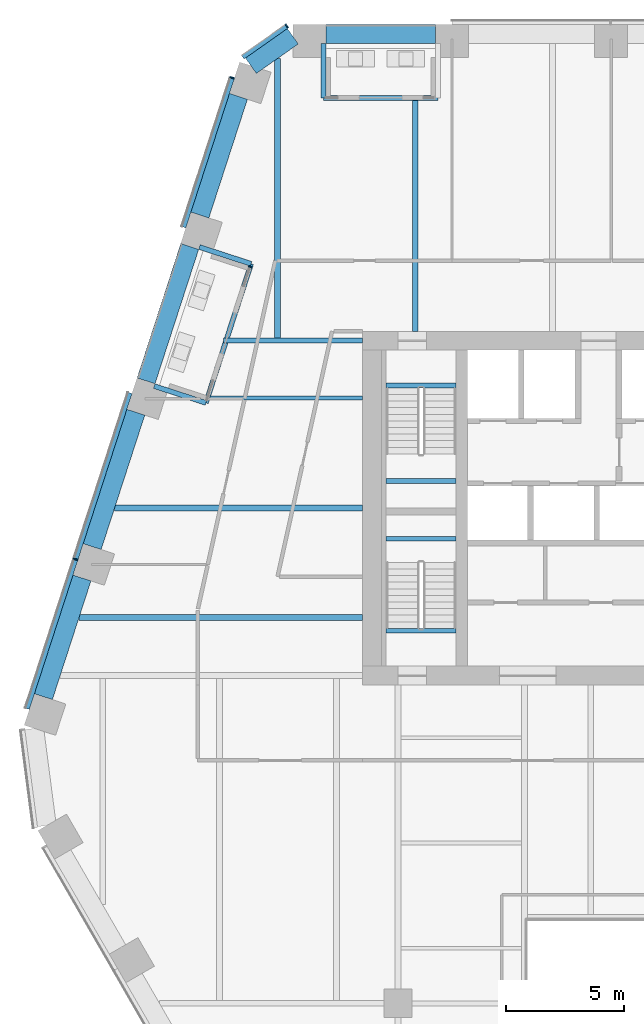
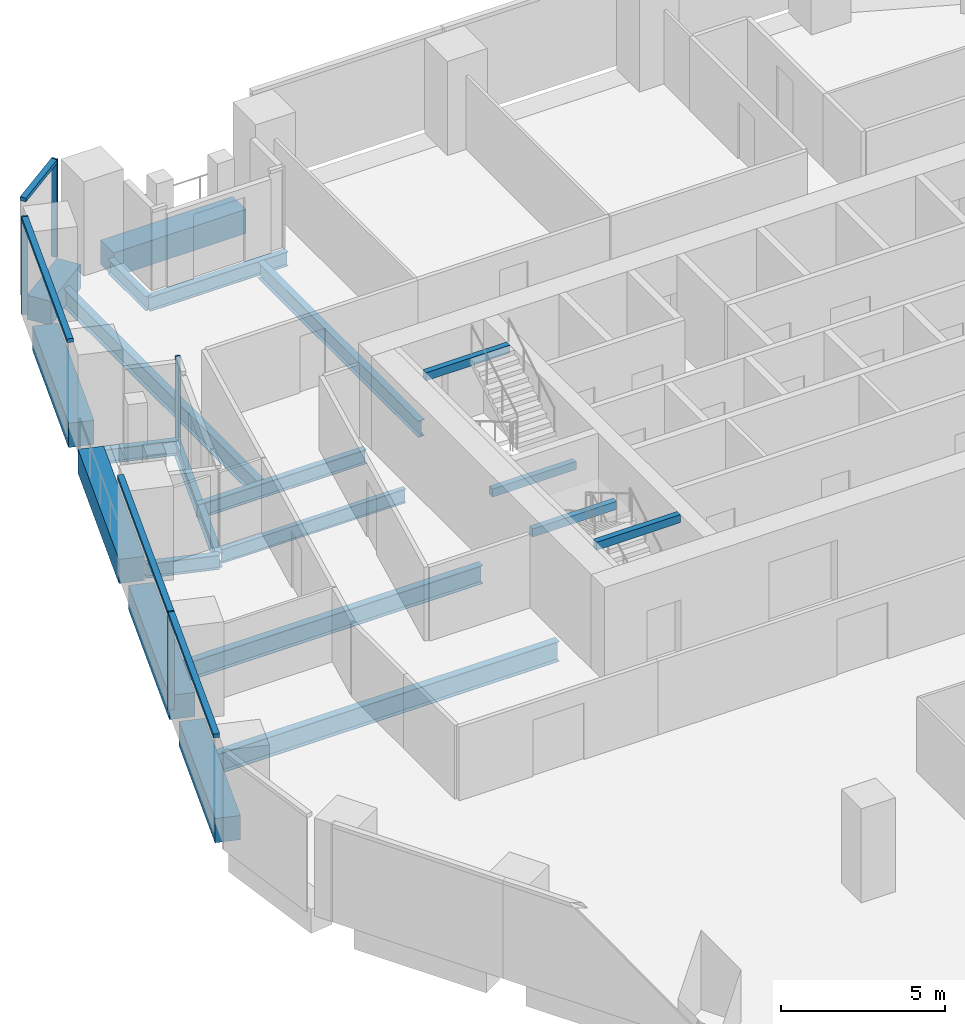
# One storey, part 8 of 26: 21 beams, 8 members, 3 elements without a shape of their own.
"""IFC4 building model written with IfcOpenShell, lengths in metres."""

import ifcopenshell
import ifcopenshell.guid

model = None  # the IFC model being written
_history = None  # IfcOwnerHistory: only IFC2X3 demands one
_inside = {}  # id of a spatial element -> (the spatial element, [elements in it])
_under = {}  # id of a project, library or spatial element -> (it, [spatial elements below it])
_declared = {}  # id of a project -> (the project, [libraries it declares])
_typed = {}  # id of a type object -> (the type object, [elements of that type])
_made_of = {}  # id of a material, layer set ... -> (it, [elements and type objects made of it])


def new_model(schema):
    """Start an empty IFC model of exactly this schema.

    Asked for "IFC4X3", IfcOpenShell would pick the latest addendum, in which some entities
    have other attributes; the version numbers below select the first issue.
    IFC2X3 requires an IfcOwnerHistory on every rooted entity: one is made here for all.
    """
    global model, _history
    if schema == "IFC4X3":
        model = ifcopenshell.file(schema_version=(4, 3, 0, 0))
    else:
        model = ifcopenshell.file(schema=schema)
    _inside.clear()
    _under.clear()
    _declared.clear()
    _typed.clear()
    _made_of.clear()
    _history = None
    if model.schema == "IFC2X3":
        org = make("IfcOrganization", Name="unknown")
        user = make(
            "IfcPersonAndOrganization",
            ThePerson=make("IfcPerson", FamilyName="unknown"),
            TheOrganization=org,
        )
        app = make(
            "IfcApplication",
            ApplicationDeveloper=org,
            Version="unknown",
            ApplicationFullName="unknown",
            ApplicationIdentifier="unknown",
        )
        _history = make(
            "IfcOwnerHistory",
            OwningUser=user,
            OwningApplication=app,
            ChangeAction="ADDED",
            CreationDate=0,
        )
    return model


def make(cls, **values):
    """One entity of the class cls with the attributes given. An attribute that is None is left unset."""
    return model.create_entity(
        cls, **{name: value for name, value in values.items() if value is not None}
    )


def rooted(cls, **values):
    """An entity with a GlobalId (a new one), such as an element, a storey or a relation."""
    return make(cls, GlobalId=ifcopenshell.guid.new(), OwnerHistory=_history, **values)


def si_unit(unit_type, name, prefix=None):
    """IfcSIUnit, for example si_unit("LENGTHUNIT", "METRE", prefix="MILLI")."""
    return make("IfcSIUnit", UnitType=unit_type, Prefix=prefix, Name=name)


def assignment(units):
    """IfcUnitAssignment: the units of a project."""
    return None if units is None else make("IfcUnitAssignment", Units=units)


def point(xyz):
    """IfcCartesianPoint."""
    return None if xyz is None else make("IfcCartesianPoint", Coordinates=xyz)


def direction(xyz):
    """IfcDirection."""
    return None if xyz is None else make("IfcDirection", DirectionRatios=xyz)


def frame(location, z_axis=None, x_axis=None):
    """IfcAxis2Placement3D, a coordinate frame: its origin and axes. An axis left out is left unset."""
    return make(
        "IfcAxis2Placement3D",
        Location=point(location),
        Axis=direction(z_axis),
        RefDirection=direction(x_axis),
    )


def frame_2d(location, x_axis=None):
    """IfcAxis2Placement2D, a coordinate frame in the plane: its origin and x axis."""
    return make(
        "IfcAxis2Placement2D", Location=point(location), RefDirection=direction(x_axis)
    )


def origin():
    """The frame at (0, 0, 0) with its axes left unset."""
    return frame((0.0, 0.0, 0.0))


def origin_2d():
    """The frame at (0, 0) in the plane with its x axis left unset."""
    return frame_2d((0.0, 0.0))


def place(relative_to, where):
    """IfcLocalPlacement: puts the frame where relative to a parent placement (None: the world)."""
    return make(
        "IfcLocalPlacement", PlacementRelTo=relative_to, RelativePlacement=where
    )


def context(
    kind, dimensions, precision=None, world=None, true_north=None, identifier=None
):
    """IfcGeometricRepresentationContext, for example the 3D "Model" context."""
    return make(
        "IfcGeometricRepresentationContext",
        ContextIdentifier=identifier,
        ContextType=kind,
        CoordinateSpaceDimension=dimensions,
        Precision=precision,
        WorldCoordinateSystem=world,
        TrueNorth=true_north,
    )


def subcontext(parent, identifier, kind, view, scale=None):
    """IfcGeometricRepresentationSubContext, for example "Body" below "Model"."""
    return make(
        "IfcGeometricRepresentationSubContext",
        ContextIdentifier=identifier,
        ContextType=kind,
        ParentContext=parent,
        TargetScale=scale,
        TargetView=view,
    )


def project(units=None, contexts=None):
    """IfcProject with its units and contexts."""
    return rooted(
        "IfcProject",
        Name="project",
        RepresentationContexts=contexts,
        UnitsInContext=assignment(units),
    )


def spatial(cls, under=None, at=None, **own):
    """A site, building, storey or space (cls), placed at a placement, below another one or the project."""
    s = rooted(cls, ObjectPlacement=at, **own)
    if under is not None:
        _under.setdefault(under.id(), (under, []))[1].append(s)
    return s


def profile(cls, at=None, kind="AREA", **sizes):
    """A parametric profile (cls). Its sizes go by their IFC names, for example OverallWidth=200.0."""
    return make(cls, ProfileType=kind, Position=at, **sizes)


def rectangle(**sizes):
    """IfcRectangleProfileDef."""
    return profile("IfcRectangleProfileDef", **sizes)


def i_section(**sizes):
    """IfcIShapeProfileDef."""
    return profile("IfcIShapeProfileDef", **sizes)


def extrude(swept, where, along, depth):
    """IfcExtrudedAreaSolid: the profile swept, set in the frame where, extruded along a direction by depth."""
    return make(
        "IfcExtrudedAreaSolid",
        SweptArea=swept,
        Position=where,
        ExtrudedDirection=direction(along),
        Depth=depth,
    )


def shape(context_of_items, identifier, shape_type, items):
    """IfcShapeRepresentation: the items that make up one representation, for example the "Body"."""
    return make(
        "IfcShapeRepresentation",
        ContextOfItems=context_of_items,
        RepresentationIdentifier=identifier,
        RepresentationType=shape_type,
        Items=items,
    )


def material(Name=None, Category=None):
    """IfcMaterial."""
    return make("IfcMaterial", Name=Name, Category=Category)


def layer(
    of_material, thickness, ventilated=None, Name=None, Category=None, Priority=None
):
    """IfcMaterialLayer: one layer of a wall or slab, of a material (None: an air gap)."""
    return make(
        "IfcMaterialLayer",
        Material=of_material,
        LayerThickness=thickness,
        IsVentilated=ventilated,
        Name=Name,
        Category=Category,
        Priority=Priority,
    )


def layer_set(layers, Name=None):
    """IfcMaterialLayerSet."""
    return make("IfcMaterialLayerSet", MaterialLayers=layers, LayerSetName=Name)


def material_profile(
    of_material, cross_section, Name=None, Category=None, Priority=None
):
    """IfcMaterialProfile: a cross section and its material."""
    return make(
        "IfcMaterialProfile",
        Name=Name,
        Material=of_material,
        Profile=cross_section,
        Priority=Priority,
        Category=Category,
    )


def profile_set(profiles, Name=None, composite=None):
    """IfcMaterialProfileSet."""
    return make(
        "IfcMaterialProfileSet",
        Name=Name,
        MaterialProfiles=profiles,
        CompositeProfile=composite,
    )


def made_of(thing, what):
    """Note that an element or type object is made of a material, layer set ...; save() writes the relation."""
    if what is not None:
        _made_of.setdefault(what.id(), (what, []))[1].append(thing)
    return thing


def type_object(cls, material=None, **own):
    """A type object (cls), such as IfcWallType, which elements share."""
    return made_of(rooted(cls, **own), material)


def element(
    cls,
    number,
    at=None,
    inside=None,
    cuts=None,
    type_object=None,
    material=None,
    context=None,
    identifier="Body",
    shape_type=None,
    held_by="IfcProductDefinitionShape",
    body=None,
    shapes=None,
    **own,
):
    """One element of the class cls, such as IfcWall. Its Tag is "e" and its number.

    at: its placement. inside: the storey or other place that contains it. cuts: it is an
    opening in that element (IfcRelVoidsElement). A single representation is given by context,
    identifier, shape_type and body (its items); several are given by shapes. held_by: the class
    of the entity that holds the representations. save() writes the other relations.
    """
    e = rooted(cls, Tag="e%d" % number, ObjectPlacement=at, **own)
    if body is not None:
        shapes = [shape(context, identifier, shape_type, body)]
    if shapes is not None:
        e.Representation = make(held_by, Representations=shapes)
    if inside is not None:
        _inside.setdefault(inside.id(), (inside, []))[1].append(e)
    if cuts is not None:
        rooted(
            "IfcRelVoidsElement", RelatingBuildingElement=cuts, RelatedOpeningElement=e
        )
    if type_object is not None:
        _typed.setdefault(type_object.id(), (type_object, []))[1].append(e)
    return made_of(e, material)


def aggregate(whole, parts):
    """IfcRelAggregates: a whole, such as a stair, and the parts it consists of."""
    return rooted("IfcRelAggregates", RelatingObject=whole, RelatedObjects=parts)


def save(model, path):
    """Write the relations noted so far, then the file.

    IfcRelAggregates (storeys below a building ...), IfcRelContainedInSpatialStructure (elements
    in a storey), IfcRelDefinesByType, IfcRelAssociatesMaterial and IfcRelDeclares: one each for
    every whole, place, type object, material and project.
    """
    for whole, parts in _under.values():
        aggregate(whole, parts)
    for where, things in _inside.values():
        rooted(
            "IfcRelContainedInSpatialStructure",
            RelatedElements=things,
            RelatingStructure=where,
        )
    for kind, things in _typed.values():
        rooted("IfcRelDefinesByType", RelatedObjects=things, RelatingType=kind)
    for what, things in _made_of.values():
        rooted("IfcRelAssociatesMaterial", RelatedObjects=things, RelatingMaterial=what)
    for by, libraries in _declared.values():
        rooted("IfcRelDeclares", RelatingContext=by, RelatedDefinitions=libraries)
    model.write(path)


model = new_model("IFC4")

# Units and contexts
model_context = context("Model", 3, precision=1e-05, world=origin(), true_north=direction((0.0, 1.0)))
body_context = subcontext(model_context, "Body", "Model", "MODEL_VIEW")
ifc_project = project(units=[si_unit("LENGTHUNIT", "METRE"), si_unit("AREAUNIT", "SQUARE_METRE"), si_unit("VOLUMEUNIT", "CUBIC_METRE"), si_unit("PLANEANGLEUNIT", "RADIAN"), si_unit("MASSUNIT", "GRAM", prefix="KILO")], contexts=[model_context])

# Site, building, storey
site_placement = place(None, origin())
site = spatial("IfcSite", under=ifc_project, at=site_placement, CompositionType="ELEMENT")
building_placement = place(site_placement, origin())
building = spatial("IfcBuilding", under=site, at=building_placement, Name="Isthmus Gate Tower", CompositionType="ELEMENT")
storey_placement = place(building_placement, frame((0.0, 0.0, 144.39990234375)))
storey = spatial("IfcBuildingStorey", under=building, at=storey_placement, Name="L35", CompositionType="ELEMENT", Elevation=144.39990234375)

# Curtain wall, member
ifc_material_1 = material(Name="Aluminium, pale champagne anodised", Category="aluminium")
ifc_layer_1 = layer(ifc_material_1, 0.199951171875)
ifc_layer_set_1 = layer_set([ifc_layer_1], Name="CW-1 UNITISED CURTAIN WALL 200 DEEP")
curtain_wall_type_1 = type_object("IfcCurtainWallType", Name="CW-1 UNITISED CURTAIN WALL 200 DEEP", PredefinedType="NOTDEFINED", material=ifc_layer_set_1)
curtain_wall_1_placement = place(storey_placement, origin())
curtain_wall_1 = element("IfcCurtainWall", 1, at=curtain_wall_1_placement, inside=storey, type_object=curtain_wall_type_1, Name="CW-1 N-NW L35", PredefinedType="NOTDEFINED")
ifc_material_2 = material(Name="Aluminium, pale champagne anodised", Category="aluminium")
ifc_material_profile_1 = material_profile(ifc_material_2, rectangle(XDim=0.06005859375, YDim=0.199951171875, at=origin_2d()), Name="60x200")
ifc_profile_set_1 = profile_set([ifc_material_profile_1], Name="Aluminium, pale champagne anodised")
member_type_1 = type_object("IfcMemberType", Name="CW-1 MULLION 60 X 200", PredefinedType="MULLION", material=ifc_profile_set_1)
member_1_placement = place(storey_placement, frame((-18.216552734375, 27.943115234375, 0.0), z_axis=(0.0, 0.0, 1.0), x_axis=(-0.81785959165, -0.57541783805, 0.0)))
member_1 = element("IfcMember", 2, at=member_1_placement, type_object=member_type_1, Name="CW-1 mullion", PredefinedType="MULLION", context=body_context, shape_type="SweptSolid", body=[
    extrude(rectangle(XDim=0.06005859375, YDim=0.199951171875, at=origin_2d()), origin(), (0.0, 0.0, 1.0), 3.650146484375),
])

# Curtain wall, members
curtain_wall_2_placement = place(storey_placement, origin())
curtain_wall_2 = element("IfcCurtainWall", 3, at=curtain_wall_2_placement, inside=storey, type_object=curtain_wall_type_1, Name="CW-1 NW L35", PredefinedType="NOTDEFINED")
member_2_placement = place(storey_placement, frame((-20.53564453125, 25.75146484375, 0.0), z_axis=(0.0, 0.0, 1.0), x_axis=(-0.309016994375, -0.951056516295, 0.0)))
member_2 = element("IfcMember", 4, at=member_2_placement, type_object=member_type_1, Name="CW-1 mullion", PredefinedType="MULLION", context=body_context, shape_type="SweptSolid", body=[
    extrude(rectangle(XDim=0.06005859375, YDim=0.199951171875, at=origin_2d()), origin(), (0.0, 0.0, 1.0), 3.650146484375),
])
member_3_placement = place(storey_placement, frame((-27.1708984375, 5.330078125, 0.0), z_axis=(0.0, 0.0, 1.0), x_axis=(-0.309016994375, -0.951056516295, 0.0)))
member_3 = element("IfcMember", 5, at=member_3_placement, type_object=member_type_1, Name="CW-1 mullion", PredefinedType="MULLION", context=body_context, shape_type="SweptSolid", body=[
    extrude(rectangle(XDim=0.06005859375, YDim=0.199951171875, at=origin_2d()), origin(), (0.0, 0.0, 1.0), 3.650146484375),
])

# Member
ifc_material_3 = material(Name="Aluminium, pale champagne anodised", Category="aluminium")
ifc_material_profile_2 = material_profile(ifc_material_3, rectangle(XDim=0.199951171875, YDim=0.139892578125, at=origin_2d()), Name="200x140")
ifc_profile_set_2 = profile_set([ifc_material_profile_2], Name="Aluminium, pale champagne anodised")
member_type_2 = type_object("IfcMemberType", Name="CW-1 TRANSOM 200 X 140", PredefinedType="USERDEFINED", material=ifc_profile_set_2)
member_4_placement = place(storey_placement, frame((-18.2412109375, 27.92578125, 3.580078125), z_axis=(-0.817868595604, -0.575405040233, 0.0), x_axis=(0.575405040233, -0.817868595604, 0.0)))
member_4 = element("IfcMember", 6, at=member_4_placement, type_object=member_type_2, Name="CW-1 transom", ObjectType="TRANSOM", PredefinedType="USERDEFINED", context=body_context, shape_type="SweptSolid", body=[
    extrude(rectangle(XDim=0.199951171875, YDim=0.139892578125, at=origin_2d()), origin(), (0.0, 0.0, 1.0), 2.258544921875),
])

aggregate(curtain_wall_1, [member_1, member_4])

member_5_placement = place(storey_placement, frame((-20.544921875, 25.72314453125, 3.580078125), z_axis=(-0.30898366881, -0.951067343782, 0.0), x_axis=(0.951067343782, -0.30898366881, 0.0)))
member_5 = element("IfcMember", 7, at=member_5_placement, type_object=member_type_2, Name="CW-1 transom", ObjectType="TRANSOM", PredefinedType="USERDEFINED", context=body_context, shape_type="SweptSolid", body=[
    extrude(rectangle(XDim=0.199951171875, YDim=0.139892578125, at=origin_2d()), origin(), (0.0, 0.0, 1.0), 6.630859375),
])

member_6_placement = place(storey_placement, frame((-24.877685546875, 12.3876953125, 3.580078125), z_axis=(-0.309024076379, -0.951054215183, 0.0), x_axis=(0.951054215183, -0.309024076379, 0.0)))
member_6 = element("IfcMember", 8, at=member_6_placement, type_object=member_type_2, Name="CW-1 transom", ObjectType="TRANSOM", PredefinedType="USERDEFINED", context=body_context, shape_type="SweptSolid", body=[
    extrude(rectangle(XDim=0.199951171875, YDim=0.139892578125, at=origin_2d()), origin(), (0.0, 0.0, 1.0), 7.390869140625),
])

member_7_placement = place(storey_placement, frame((-27.18017578125, 5.301513671875, 3.580078125), z_axis=(-0.309027792969, -0.951053007552, 0.0), x_axis=(0.951053007552, -0.309027792969, 0.0)))
member_7 = element("IfcMember", 9, at=member_7_placement, type_object=member_type_2, Name="CW-1 transom", ObjectType="TRANSOM", PredefinedType="USERDEFINED", context=body_context, shape_type="SweptSolid", body=[
    extrude(rectangle(XDim=0.199951171875, YDim=0.139892578125, at=origin_2d()), origin(), (0.0, 0.0, 1.0), 6.630615234375),
])

aggregate(curtain_wall_2, [member_2, member_5, member_6, member_3, member_7])

# Curtain wall, member
ifc_material_4 = material(Name="Aluminium, pale champagne anodised", Category="aluminium")
ifc_layer_2 = layer(ifc_material_4, 0.14990234375)
ifc_layer_set_2 = layer_set([ifc_layer_2], Name="CW-6 LOGGIA BACK WALL GLAZING 150 DEEP")
curtain_wall_type_2 = type_object("IfcCurtainWallType", Name="CW-6 LOGGIA BACK WALL GLAZING 150 DEEP", PredefinedType="NOTDEFINED", material=ifc_layer_set_2)
curtain_wall_3_placement = place(storey_placement, origin())
curtain_wall_3 = element("IfcCurtainWall", 10, at=curtain_wall_3_placement, inside=storey, type_object=curtain_wall_type_2, Name="CW-6 NW L35", PredefinedType="NOTDEFINED")
ifc_material_5 = material(Name="Aluminium, pale champagne anodised", Category="aluminium")
ifc_material_profile_3 = material_profile(ifc_material_5, rectangle(XDim=0.06005859375, YDim=0.14990234375, at=origin_2d()), Name="60x150")
ifc_profile_set_3 = profile_set([ifc_material_profile_3], Name="Aluminium, pale champagne anodised")
member_type_3 = type_object("IfcMemberType", Name="CW-6 MULLION 60 X 150", PredefinedType="MULLION", material=ifc_profile_set_3)
member_8_placement = place(storey_placement, frame((-19.776123046875, 17.733642578125, 0.0), z_axis=(0.0, 0.0, 1.0), x_axis=(-0.309016994375, -0.951056516295, 0.0)))
member_8 = element("IfcMember", 11, at=member_8_placement, type_object=member_type_3, Name="CW-6 mullion", PredefinedType="MULLION", context=body_context, shape_type="SweptSolid", body=[
    extrude(rectangle(XDim=0.06005859375, YDim=0.14990234375, at=origin_2d()), origin(), (0.0, 0.0, 1.0), 3.050048828125),
])
aggregate(curtain_wall_3, [member_8])

# Beams
ifc_material_6 = material(Name="Concrete f'c 60 MPa", Category="concrete")
ifc_material_profile_4 = material_profile(ifc_material_6, rectangle(XDim=0.800048828125, YDim=0.89990234375, at=origin_2d()), Name="RC 800X900")
ifc_profile_set_4 = profile_set([ifc_material_profile_4], Name="Concrete f'c 60 MPa")
beam_type_1 = type_object("IfcBeamType", Name="RC SPANDREL 800 X 900", PredefinedType="SPANDREL", material=ifc_profile_set_4)
beam_1_placement = place(storey_placement, frame((-28.537353515625, -0.493408203125, -0.449951171875), z_axis=(0.309033901013, 0.951051022829, 0.0), x_axis=(-0.951051022829, 0.309033901013, 0.0)))
element("IfcBeam", 12, at=beam_1_placement, inside=storey, type_object=beam_type_1, Name="str-spandrel-L35-21", PredefinedType="SPANDREL", context=body_context, shape_type="SweptSolid", body=[
    extrude(rectangle(XDim=0.800048828125, YDim=0.89990234375, at=origin_2d()), origin(), (0.0, 0.0, 1.0), 5.290771484375),
])
for number, where, z_axis, x_axis, name in (
    (13, (-26.4697265625, 5.869873046875, -0.449951171875), (0.309029860788, 0.951052335648, 0.0), (-0.951052335648, 0.309029860788, 0.0), "str-spandrel-L35-22"),
    (14, (-24.185791015625, 12.89892578125, -0.449951171875), (0.308992998998, 0.951064312531, 0.0), (-0.951064312531, 0.308992998998, 0.0), "str-spandrel-L35-23"),
):
    element("IfcBeam", number, at=place(storey_placement, frame(where, z_axis=z_axis, x_axis=x_axis)), inside=storey, type_object=beam_type_1, Name=name, PredefinedType="SPANDREL", context=body_context, shape_type="SweptSolid", body=[
        extrude(rectangle(XDim=0.800048828125, YDim=0.89990234375, at=origin_2d()), origin(), (0.0, 0.0, 1.0), 5.99072265625),
    ])
beam_2_placement = place(storey_placement, frame((-21.902099609375, 19.927978515625, -0.449951171875), z_axis=(0.309020339202, 0.951055429489, 0.0), x_axis=(-0.951055429489, 0.309020339202, 0.0)))
element("IfcBeam", 15, at=beam_2_placement, inside=storey, type_object=beam_type_1, Name="str-spandrel-L35-24", PredefinedType="SPANDREL", context=body_context, shape_type="SweptSolid", body=[
    extrude(rectangle(XDim=0.800048828125, YDim=0.89990234375, at=origin_2d()), origin(), (0.0, 0.0, 1.0), 5.291015625),
])
beam_3_placement = place(storey_placement, frame((-19.7392578125, 26.260498046875, -0.449951171875), z_axis=(0.817857331203, 0.575421050882, 0.0), x_axis=(-0.575421050882, 0.817857331203, 0.0)))
element("IfcBeam", 16, at=beam_3_placement, inside=storey, type_object=beam_type_1, Name="str-spandrel-L35-25", PredefinedType="SPANDREL", context=body_context, shape_type="SweptSolid", body=[
    extrude(rectangle(XDim=0.800048828125, YDim=0.89990234375, at=origin_2d()), origin(), (0.0, 0.0, 1.0), 2.173095703125),
])
beam_4_placement = place(storey_placement, frame((-16.56201171875, 27.60009765625, -0.449951171875), z_axis=(1.0, 0.0, 0.0), x_axis=(0.0, 1.0, 0.0)))
element("IfcBeam", 17, at=beam_4_placement, inside=storey, type_object=beam_type_1, Name="str-spandrel-L35-26", PredefinedType="SPANDREL", context=body_context, shape_type="SweptSolid", body=[
    extrude(rectangle(XDim=0.800048828125, YDim=0.89990234375, at=origin_2d()), origin(), (0.0, 0.0, 1.0), 4.650146484375),
])
ifc_material_7 = material(Name="Concrete f'c 40 MPa", Category="concrete")
ifc_material_profile_5 = material_profile(ifc_material_7, rectangle(XDim=0.199951171875, YDim=0.300048828125, at=origin_2d()), Name="STAIR LANDING BEAM RC 200 X 300")
ifc_profile_set_5 = profile_set([ifc_material_profile_5], Name="Concrete f'c 40 MPa")
beam_type_2 = type_object("IfcBeamType", Name="STAIR LANDING BEAM RC 200 X 300", PredefinedType="BEAM", material=ifc_profile_set_5)
for number, where, z_axis, x_axis, name in (
    (18, (-14.0, 8.64990234375, 1.47509765625), (1.0, 0.0, 0.0), (0.0, 1.0, 0.0), "L35 ST1 landing beam 1"),
    (19, (-14.0, 12.7001953125, 3.35009765625), (1.0, 0.0, 0.0), (0.0, 1.0, 0.0), "L35 ST1 floor-edge seat beam"),
    (20, (-14.0, 6.199951171875, 1.47509765625), (1.0, 0.0, 0.0), (0.0, 1.0, 0.0), "L35 ST7 landing beam 1"),
    (21, (-14.0, 2.2998046875, 3.35009765625), (1.0, 0.0, 0.0), (0.0, 1.0, 0.0), "L35 ST7 floor-edge seat beam"),
):
    element("IfcBeam", number, at=place(storey_placement, frame(where, z_axis=z_axis, x_axis=x_axis)), inside=storey, type_object=beam_type_2, Name=name, PredefinedType="BEAM", context=body_context, shape_type="SweptSolid", body=[
        extrude(rectangle(XDim=0.199951171875, YDim=0.300048828125, at=origin_2d()), origin(), (0.0, 0.0, 1.0), 2.949951171875),
    ])
ifc_material_8 = material(Name="Structural steel ASTM A992 Gr 50", Category="steel")
ifc_material_profile_6 = material_profile(ifc_material_8, i_section(OverallWidth=0.1650390625, OverallDepth=0.52392578125, WebThickness=0.009521484375, FlangeThickness=0.010986328125, at=origin_2d()), Name="W21X44")
ifc_profile_set_6 = profile_set([ifc_material_profile_6], Name="Structural steel ASTM A992 Gr 50")
beam_type_3 = type_object("IfcBeamType", Name="STEEL FLOOR BEAM W21X44", PredefinedType="JOIST", material=ifc_profile_set_6)
beam_5_placement = place(storey_placement, frame((-21.46923828125, 12.16796875, -0.411865234375), z_axis=(1.0, 0.0, 0.0), x_axis=(0.0, 1.0, 0.0)))
element("IfcBeam", 22, at=beam_5_placement, inside=storey, type_object=beam_type_3, Name="str-beam-L35-02-02", PredefinedType="JOIST", context=body_context, shape_type="SweptSolid", body=[
    extrude(i_section(OverallWidth=0.1650390625, OverallDepth=0.52392578125, WebThickness=0.009521484375, FlangeThickness=0.010986328125, at=origin_2d()), origin(), (0.0, 0.0, 1.0), 6.46923828125),
])
ifc_material_9 = material(Name="Structural steel ASTM A992 Gr 50", Category="steel")
ifc_material_profile_7 = material_profile(ifc_material_9, i_section(OverallWidth=0.228515625, OverallDepth=0.603271484375, WebThickness=0.010986328125, FlangeThickness=0.014404296875, at=origin_2d()), Name="W24X68")
ifc_profile_set_7 = profile_set([ifc_material_profile_7], Name="Structural steel ASTM A992 Gr 50")
beam_type_4 = type_object("IfcBeamType", Name="STEEL FLOOR BEAM W24X68", PredefinedType="JOIST", material=ifc_profile_set_7)
beam_6_placement = place(storey_placement, frame((-12.775146484375, 15.0, -0.451416015625), z_axis=(0.0, 1.0, 0.0), x_axis=(-1.0, 0.0, 0.0)))
element("IfcBeam", 23, at=beam_6_placement, inside=storey, type_object=beam_type_4, Name="str-beam-L35-08-01", PredefinedType="JOIST", context=body_context, shape_type="SweptSolid", body=[
    extrude(i_section(OverallWidth=0.228515625, OverallDepth=0.603271484375, WebThickness=0.010986328125, FlangeThickness=0.014404296875, at=origin_2d()), origin(), (0.0, 0.0, 1.0), 9.79052734375),
])
ifc_material_10 = material(Name="Structural steel ASTM A992 Gr 50", Category="steel")
ifc_material_profile_8 = material_profile(ifc_material_10, i_section(OverallWidth=0.25390625, OverallDepth=0.679443359375, WebThickness=0.010986328125, FlangeThickness=0.015869140625, at=origin_2d()), Name="W27X84")
ifc_profile_set_8 = profile_set([ifc_material_profile_8], Name="Structural steel ASTM A992 Gr 50")
beam_type_5 = type_object("IfcBeamType", Name="STEEL FLOOR BEAM W27X84", PredefinedType="JOIST", material=ifc_profile_set_8)
beam_7_placement = place(storey_placement, frame((-25.51513671875, 7.513427734375, -0.489501953125), z_axis=(1.0, 0.0, 0.0), x_axis=(0.0, 1.0, 0.0)))
element("IfcBeam", 24, at=beam_7_placement, inside=storey, type_object=beam_type_5, Name="str-beam-L35-02-01", PredefinedType="JOIST", context=body_context, shape_type="SweptSolid", body=[
    extrude(i_section(OverallWidth=0.25390625, OverallDepth=0.679443359375, WebThickness=0.010986328125, FlangeThickness=0.015869140625, at=origin_2d()), origin(), (0.0, 0.0, 1.0), 10.51513671875),
])
beam_8_placement = place(storey_placement, frame((-18.606201171875, 14.704833984375, -0.489501953125), z_axis=(0.0, 1.0, 0.0), x_axis=(-1.0, 0.0, 0.0)))
element("IfcBeam", 25, at=beam_8_placement, inside=storey, type_object=beam_type_5, Name="str-beam-L35-08-00", PredefinedType="JOIST", context=body_context, shape_type="SweptSolid", body=[
    extrude(i_section(OverallWidth=0.25390625, OverallDepth=0.679443359375, WebThickness=0.010986328125, FlangeThickness=0.015869140625, at=origin_2d()), origin(), (0.0, 0.0, 1.0), 11.86376953125),
])
ifc_material_11 = material(Name="Structural steel ASTM A992 Gr 50", Category="steel")
ifc_material_profile_9 = material_profile(ifc_material_11, i_section(OverallWidth=0.263427734375, OverallDepth=0.749267578125, WebThickness=0.0126953125, FlangeThickness=0.015869140625, at=origin_2d()), Name="W30X90")
ifc_profile_set_9 = profile_set([ifc_material_profile_9], Name="Structural steel ASTM A992 Gr 50")
beam_type_6 = type_object("IfcBeamType", Name="STEEL FLOOR BEAM W30X90", PredefinedType="JOIST", material=ifc_profile_set_9)
beam_9_placement = place(storey_placement, frame((-27.027587890625, 2.85888671875, -0.524658203125), z_axis=(1.0, 0.0, 0.0), x_axis=(0.0, 1.0, 0.0)))
element("IfcBeam", 26, at=beam_9_placement, inside=storey, type_object=beam_type_6, Name="str-beam-L35-02-00", PredefinedType="JOIST", context=body_context, shape_type="SweptSolid", body=[
    extrude(i_section(OverallWidth=0.263427734375, OverallDepth=0.749267578125, WebThickness=0.0126953125, FlangeThickness=0.015869140625, at=origin_2d()), origin(), (0.0, 0.0, 1.0), 12.027587890625),
])
ifc_material_12 = material(Name="Structural steel ASTM A992 Gr 50", Category="steel")
ifc_material_profile_10 = material_profile(ifc_material_12, i_section(OverallWidth=0.20947265625, OverallDepth=0.533447265625, WebThickness=0.009521484375, FlangeThickness=0.015869140625, at=origin_2d()), Name="W21X62")
ifc_profile_set_10 = profile_set([ifc_material_profile_10], Name="Structural steel ASTM A992 Gr 50")
beam_type_7 = type_object("IfcBeamType", Name="STEEL GIRDER W21X62", PredefinedType="BEAM", material=ifc_profile_set_10)
beam_10_placement = place(storey_placement, frame((-15.0, 14.60009765625, -0.41650390625), z_axis=(-1.0, 0.0, 0.0), x_axis=(0.0, -1.0, 0.0)))
element("IfcBeam", 27, at=beam_10_placement, inside=storey, type_object=beam_type_7, Name="str-girder-L35-15", PredefinedType="BEAM", context=body_context, shape_type="SweptSolid", body=[
    extrude(i_section(OverallWidth=0.20947265625, OverallDepth=0.533447265625, WebThickness=0.009521484375, FlangeThickness=0.015869140625, at=origin_2d()), origin(), (0.0, 0.0, 1.0), 5.8994140625),
])
ifc_material_13 = material(Name="Structural steel ASTM A992 Gr 50", Category="steel")
ifc_material_profile_11 = material_profile(ifc_material_13, i_section(OverallWidth=0.20947265625, OverallDepth=0.533447265625, WebThickness=0.009521484375, FlangeThickness=0.015869140625, at=origin_2d()), Name="W21X62")
ifc_profile_set_11 = profile_set([ifc_material_profile_11], Name="Structural steel ASTM A992 Gr 50")
beam_type_8 = type_object("IfcBeamType", Name="STEEL TRIMMER W21X62", PredefinedType="BEAM", material=ifc_profile_set_11)
beam_11_placement = place(storey_placement, frame((-11.80712890625, 24.895263671875, -0.41650390625), z_axis=(-1.0, 0.0, 0.0), x_axis=(0.0, -1.0, 0.0)))
element("IfcBeam", 28, at=beam_11_placement, inside=storey, type_object=beam_type_8, Name="str-loggiatrim-L35-01-B", PredefinedType="BEAM", context=body_context, shape_type="SweptSolid", body=[
    extrude(i_section(OverallWidth=0.20947265625, OverallDepth=0.533447265625, WebThickness=0.009521484375, FlangeThickness=0.015869140625, at=origin_2d()), origin(), (0.0, 0.0, 1.0), 4.859619140625),
])
beam_12_placement = place(storey_placement, frame((-16.666748046875, 27.199951171875, -0.41650390625), z_axis=(0.0, -1.0, 0.0), x_axis=(1.0, 0.0, 0.0)))
element("IfcBeam", 29, at=beam_12_placement, inside=storey, type_object=beam_type_8, Name="str-loggiatrim-L35-01-C", PredefinedType="BEAM", context=body_context, shape_type="SweptSolid", body=[
    extrude(i_section(OverallWidth=0.20947265625, OverallDepth=0.533447265625, WebThickness=0.009521484375, FlangeThickness=0.015869140625, at=origin_2d()), origin(), (0.0, 0.0, 1.0), 2.3046875),
])
beam_13_placement = place(storey_placement, frame((-19.72998046875, 17.8603515625, -0.41650390625), z_axis=(-0.309024636764, -0.951054033099, 0.0), x_axis=(0.951054033099, -0.309024636764, 0.0)))
element("IfcBeam", 30, at=beam_13_placement, inside=storey, type_object=beam_type_8, Name="str-loggiatrim-L35-02-B", PredefinedType="BEAM", context=body_context, shape_type="SweptSolid", body=[
    extrude(i_section(OverallWidth=0.20947265625, OverallDepth=0.533447265625, WebThickness=0.009521484375, FlangeThickness=0.015869140625, at=origin_2d()), origin(), (0.0, 0.0, 1.0), 6.2001953125),
])
for number, where, z_axis, x_axis, name in (
    (31, (-21.921875, 18.572509765625, -0.41650390625), (0.951060533358, -0.309004630854, 0.0), (0.309004630854, 0.951060533358, 0.0), "str-loggiatrim-L35-02-A"),
    (32, (-23.837890625, 12.67578125, -0.41650390625), (0.951060533358, -0.309004630854, 0.0), (0.309004630854, 0.951060533358, 0.0), "str-loggiatrim-L35-02-C"),
):
    element("IfcBeam", number, at=place(storey_placement, frame(where, z_axis=z_axis, x_axis=x_axis)), inside=storey, type_object=beam_type_8, Name=name, PredefinedType="BEAM", context=body_context, shape_type="SweptSolid", body=[
        extrude(i_section(OverallWidth=0.20947265625, OverallDepth=0.533447265625, WebThickness=0.009521484375, FlangeThickness=0.015869140625, at=origin_2d()), origin(), (0.0, 0.0, 1.0), 2.3046875),
    ])

save(model, "model.ifc")
